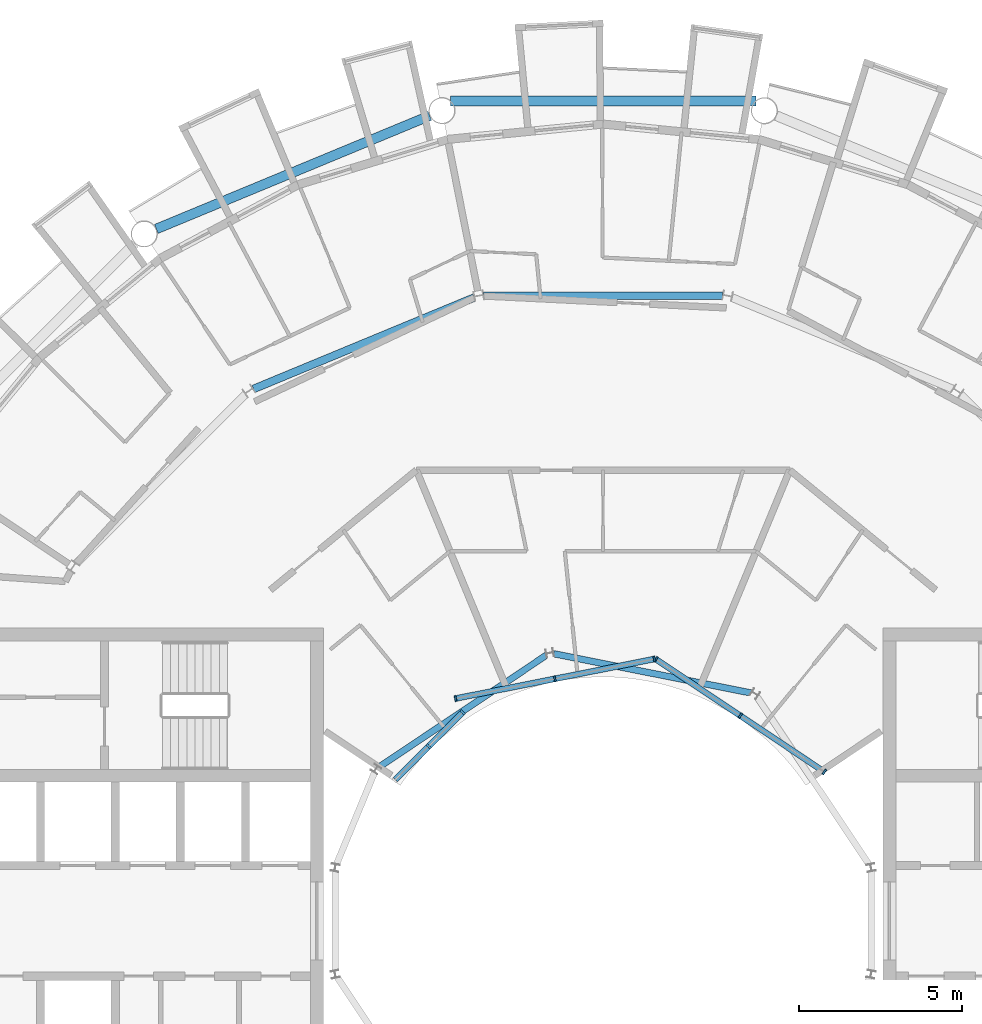
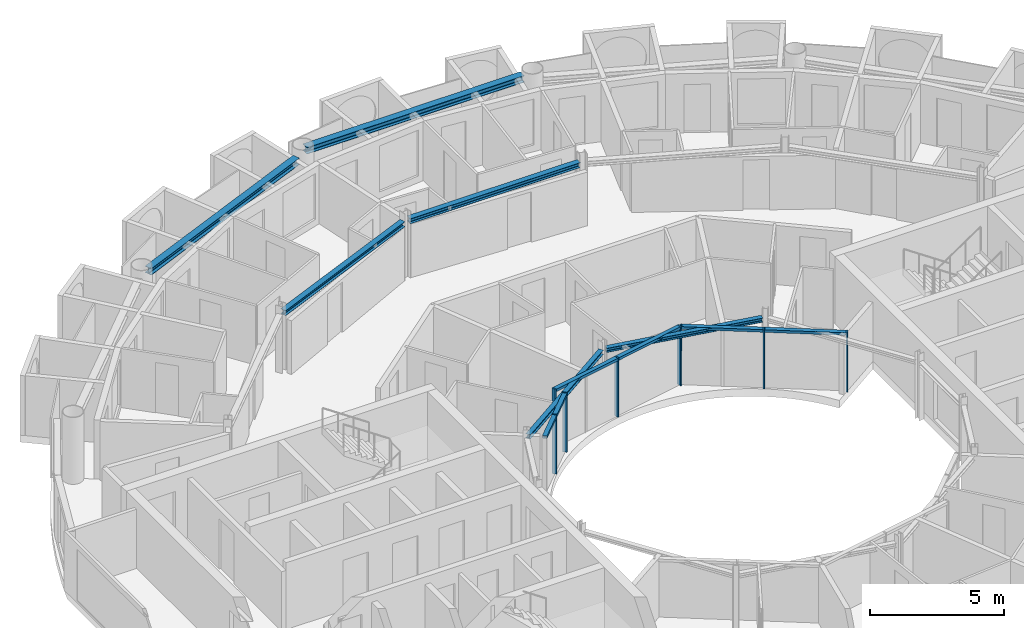
# One storey, part 9 of 27: 14 members, 6 beams, 3 elements without a shape of their own.
"""IFC4 building model written with IfcOpenShell, lengths in metres."""

from ifc_helpers import new_model, si_unit, direction, frame, origin, origin_2d, place, context, subcontext, project, spatial, rectangle, i_section, extrude, material, layer, layer_set, material_profile, profile_set, type_object, element, aggregate, save


model = new_model("IFC4")

# Units and contexts
model_context = context("Model", 3, precision=1e-05, world=origin(), true_north=direction((0.0, 1.0)))
body_context = subcontext(model_context, "Body", "Model", "MODEL_VIEW")
ifc_project = project(units=[si_unit("LENGTHUNIT", "METRE"), si_unit("AREAUNIT", "SQUARE_METRE"), si_unit("VOLUMEUNIT", "CUBIC_METRE"), si_unit("PLANEANGLEUNIT", "RADIAN"), si_unit("MASSUNIT", "GRAM", prefix="KILO")], contexts=[model_context])

# Site, building, storey
site_placement = place(None, origin())
site = spatial("IfcSite", under=ifc_project, at=site_placement, CompositionType="ELEMENT")
building_placement = place(site_placement, origin())
building = spatial("IfcBuilding", under=site, at=building_placement, Name="Maasbend Ring Residences", CompositionType="ELEMENT")
storey_placement = place(building_placement, frame((0.0, 0.0, 240.14990234375)))
storey = spatial("IfcBuildingStorey", under=building, at=storey_placement, Name="L69", CompositionType="ELEMENT", Elevation=240.14990234375)

# Curtain wall, members
ifc_material_1 = material(Name="Aluminium and clear glass", Category="aluminium")
ifc_layer = layer(ifc_material_1, 0.179931640625)
ifc_layer_set = layer_set([ifc_layer], Name="CW-W")
curtain_wall_type = type_object("IfcCurtainWallType", Name="CW-W", PredefinedType="NOTDEFINED", material=ifc_layer_set)
curtain_wall_1_placement = place(storey_placement, origin())
curtain_wall_1 = element("IfcCurtainWall", 1, at=curtain_wall_1_placement, inside=storey, type_object=curtain_wall_type, Name="Well curtain wall N1", PredefinedType="NOTDEFINED")
ifc_material_2 = material(Name="Aluminium 6063-T6", Category="aluminium")
ifc_material_profile_1 = material_profile(ifc_material_2, rectangle(XDim=0.179931640625, YDim=0.06005859375, at=origin_2d()), Name="AL 180x60")
ifc_profile_set_1 = profile_set([ifc_material_profile_1], Name="Aluminium 6063-T6")
member_type_1 = type_object("IfcMemberType", Name="CWM-W", PredefinedType="MULLION", material=ifc_profile_set_1)
member_1_placement = place(storey_placement, frame((6.805908203125, 4.580810546875, 0.0), z_axis=(0.0, 0.0, 1.0), x_axis=(-0.55557023302, -0.831469612303, 0.0)))
member_1 = element("IfcMember", 2, at=member_1_placement, type_object=member_type_1, Name="Mullion well face", PredefinedType="MULLION", context=body_context, shape_type="SweptSolid", body=[
    extrude(rectangle(XDim=0.179931640625, YDim=0.06005859375, at=origin_2d()), origin(), (0.0, 0.0, 1.0), 2.7001953125),
])
member_2_placement = place(storey_placement, frame((4.216796875, 6.310791015625, 0.0), z_axis=(0.0, 0.0, 1.0), x_axis=(-0.55557023302, -0.831469612303, 0.0)))
member_2 = element("IfcMember", 3, at=member_2_placement, type_object=member_type_1, Name="Mullion well face", PredefinedType="MULLION", context=body_context, shape_type="SweptSolid", body=[
    extrude(rectangle(XDim=0.179931640625, YDim=0.06005859375, at=origin_2d()), origin(), (0.0, 0.0, 1.0), 2.7001953125),
])
member_3_placement = place(storey_placement, frame((1.627685546875, 8.040771484375, 0.0), z_axis=(0.0, 0.0, 1.0), x_axis=(-0.55557023302, -0.831469612303, 0.0)))
member_3 = element("IfcMember", 4, at=member_3_placement, type_object=member_type_1, Name="Mullion well face", PredefinedType="MULLION", context=body_context, shape_type="SweptSolid", body=[
    extrude(rectangle(XDim=0.179931640625, YDim=0.06005859375, at=origin_2d()), origin(), (0.0, 0.0, 1.0), 2.7001953125),
])

curtain_wall_2_placement = place(storey_placement, origin())
curtain_wall_2 = element("IfcCurtainWall", 5, at=curtain_wall_2_placement, inside=storey, type_object=curtain_wall_type, Name="Well curtain wall N2", PredefinedType="NOTDEFINED")
member_4_placement = place(storey_placement, frame((1.5732421875, 8.0517578125, 0.0), z_axis=(0.0, 0.0, 1.0), x_axis=(0.195090322016, -0.980785280403, 0.0)))
member_4 = element("IfcMember", 6, at=member_4_placement, type_object=member_type_1, Name="Mullion well face", PredefinedType="MULLION", context=body_context, shape_type="SweptSolid", body=[
    extrude(rectangle(XDim=0.179931640625, YDim=0.06005859375, at=origin_2d()), origin(), (0.0, 0.0, 1.0), 2.7001953125),
])
member_5_placement = place(storey_placement, frame((-1.480712890625, 7.444091796875, 0.0), z_axis=(0.0, 0.0, 1.0), x_axis=(0.195090322016, -0.980785280403, 0.0)))
member_5 = element("IfcMember", 7, at=member_5_placement, type_object=member_type_1, Name="Mullion well face", PredefinedType="MULLION", context=body_context, shape_type="SweptSolid", body=[
    extrude(rectangle(XDim=0.179931640625, YDim=0.06005859375, at=origin_2d()), origin(), (0.0, 0.0, 1.0), 2.7001953125),
])
member_6_placement = place(storey_placement, frame((-4.53466796875, 6.836669921875, 0.0), z_axis=(0.0, 0.0, 1.0), x_axis=(0.195090322016, -0.980785280403, 0.0)))
member_6 = element("IfcMember", 8, at=member_6_placement, type_object=member_type_1, Name="Mullion well face", PredefinedType="MULLION", context=body_context, shape_type="SweptSolid", body=[
    extrude(rectangle(XDim=0.179931640625, YDim=0.06005859375, at=origin_2d()), origin(), (0.0, 0.0, 1.0), 2.7001953125),
])

curtain_wall_3_placement = place(storey_placement, origin())
curtain_wall_3 = element("IfcCurtainWall", 9, at=curtain_wall_3_placement, inside=storey, type_object=curtain_wall_type, Name="Well curtain wall N3", PredefinedType="NOTDEFINED")
member_7_placement = place(storey_placement, frame((-4.320556640625, 6.413330078125, 0.0), z_axis=(0.0, 0.0, 1.0), x_axis=(0.707106781187, -0.707106781187, 0.0)))
member_7 = element("IfcMember", 10, at=member_7_placement, type_object=member_type_1, Name="Mullion well face", PredefinedType="MULLION", context=body_context, shape_type="SweptSolid", body=[
    extrude(rectangle(XDim=0.179931640625, YDim=0.06005859375, at=origin_2d()), origin(), (0.0, 0.0, 1.0), 2.7001953125),
])
member_8_placement = place(storey_placement, frame((-5.366943359375, 5.366943359375, 0.0), z_axis=(0.0, 0.0, 1.0), x_axis=(0.707106781187, -0.707106781187, 0.0)))
member_8 = element("IfcMember", 11, at=member_8_placement, type_object=member_type_1, Name="Mullion well face", PredefinedType="MULLION", context=body_context, shape_type="SweptSolid", body=[
    extrude(rectangle(XDim=0.179931640625, YDim=0.06005859375, at=origin_2d()), origin(), (0.0, 0.0, 1.0), 2.7001953125),
])

# Member
ifc_material_3 = material(Name="Aluminium 6063-T6", Category="aluminium")
ifc_material_profile_2 = material_profile(ifc_material_3, rectangle(XDim=0.179931640625, YDim=0.1201171875, at=origin_2d()), Name="AL 180x120")
ifc_profile_set_2 = profile_set([ifc_material_profile_2], Name="Aluminium 6063-T6")
member_type_2 = type_object("IfcMemberType", Name="CWT-W", PredefinedType="USERDEFINED", material=ifc_profile_set_2)
member_9_placement = place(storey_placement, frame((6.781005859375, 4.59765625, 2.64013671875), z_axis=(-0.831496422459, 0.555530106689, 0.0), x_axis=(-0.555530106689, -0.831496422459, 0.0)))
member_9 = element("IfcMember", 12, at=member_9_placement, type_object=member_type_2, Name="Transom well face", ObjectType="TRANSOM", PredefinedType="USERDEFINED", context=body_context, shape_type="SweptSolid", body=[
    extrude(rectangle(XDim=0.179931640625, YDim=0.1201171875, at=origin_2d()), origin(), (0.0, 0.0, 1.0), 3.053955078125),
])

member_10_placement = place(storey_placement, frame((4.19189453125, 6.32763671875, 2.64013671875), z_axis=(-0.831496422459, 0.555530106689, 0.0), x_axis=(-0.555530106689, -0.831496422459, 0.0)))
member_10 = element("IfcMember", 13, at=member_10_placement, type_object=member_type_2, Name="Transom well face", ObjectType="TRANSOM", PredefinedType="USERDEFINED", context=body_context, shape_type="SweptSolid", body=[
    extrude(rectangle(XDim=0.179931640625, YDim=0.1201171875, at=origin_2d()), origin(), (0.0, 0.0, 1.0), 3.053955078125),
])

aggregate(curtain_wall_1, [member_1, member_2, member_3, member_9, member_10])

member_11_placement = place(storey_placement, frame((1.5439453125, 8.0458984375, 2.64013671875), z_axis=(-0.980776956105, -0.195132166424, 0.0), x_axis=(0.195132166424, -0.980776956105, 0.0)))
member_11 = element("IfcMember", 14, at=member_11_placement, type_object=member_type_2, Name="Transom well face", ObjectType="TRANSOM", PredefinedType="USERDEFINED", context=body_context, shape_type="SweptSolid", body=[
    extrude(rectangle(XDim=0.179931640625, YDim=0.1201171875, at=origin_2d()), origin(), (0.0, 0.0, 1.0), 3.053955078125),
])

member_12_placement = place(storey_placement, frame((-1.51025390625, 7.438232421875, 2.64013671875), z_axis=(-0.980789210404, -0.19507056353, 0.0), x_axis=(0.19507056353, -0.980789210404, 0.0)))
member_12 = element("IfcMember", 15, at=member_12_placement, type_object=member_type_2, Name="Transom well face", ObjectType="TRANSOM", PredefinedType="USERDEFINED", context=body_context, shape_type="SweptSolid", body=[
    extrude(rectangle(XDim=0.179931640625, YDim=0.1201171875, at=origin_2d()), origin(), (0.0, 0.0, 1.0), 3.0537109375),
])

aggregate(curtain_wall_2, [member_4, member_5, member_6, member_11, member_12])

member_13_placement = place(storey_placement, frame((-4.341796875, 6.39208984375, 2.64013671875), z_axis=(-0.707106781187, -0.707106781187, 0.0), x_axis=(0.707106781187, -0.707106781187, 0.0)))
member_13 = element("IfcMember", 16, at=member_13_placement, type_object=member_type_2, Name="Transom well face", ObjectType="TRANSOM", PredefinedType="USERDEFINED", context=body_context, shape_type="SweptSolid", body=[
    extrude(rectangle(XDim=0.179931640625, YDim=0.1201171875, at=origin_2d()), origin(), (0.0, 0.0, 1.0), 1.419677734375),
])

member_14_placement = place(storey_placement, frame((-5.38818359375, 5.345703125, 2.64013671875), z_axis=(-0.707106781187, -0.707106781187, 0.0), x_axis=(0.707106781187, -0.707106781187, 0.0)))
member_14 = element("IfcMember", 17, at=member_14_placement, type_object=member_type_2, Name="Transom well face", ObjectType="TRANSOM", PredefinedType="USERDEFINED", context=body_context, shape_type="SweptSolid", body=[
    extrude(rectangle(XDim=0.179931640625, YDim=0.1201171875, at=origin_2d()), origin(), (0.0, 0.0, 1.0), 1.419677734375),
])

aggregate(curtain_wall_3, [member_7, member_8, member_13, member_14])

# Beams
ifc_material_4 = material(Name="Steel S355J2", Category="steel")
ifc_material_profile_3 = material_profile(ifc_material_4, i_section(OverallWidth=0.239990234375, OverallDepth=0.22998046875, WebThickness=0.007568359375, FlangeThickness=0.011962890625, FilletRadius=0.02099609375, at=origin_2d()), Name="HEA 240")
ifc_profile_set_3 = profile_set([ifc_material_profile_3], Name="Steel S355J2")
beam_type_1 = type_object("IfcBeamType", Name="Corridor ring beam HEA 240", PredefinedType="BEAM", material=ifc_profile_set_3)
beam_1_placement = place(storey_placement, frame((3.6708984375, 19.223388671875, 2.585205078125), z_axis=(-1.0, 0.0, 0.0), x_axis=(0.0, -1.0, 0.0)))
element("IfcBeam", 18, at=beam_1_placement, inside=storey, type_object=beam_type_1, Name="Corridor ring beam", PredefinedType="BEAM", context=body_context, shape_type="SweptSolid", body=[
    extrude(i_section(OverallWidth=0.239990234375, OverallDepth=0.22998046875, WebThickness=0.007568359375, FlangeThickness=0.011962890625, FilletRadius=0.02099609375, at=origin_2d()), origin(), (0.0, 0.0, 1.0), 7.341796875),
])
beam_2_placement = place(storey_placement, frame((-3.965087890625, 19.164794921875, 2.585205078125), z_axis=(-0.923875784142, -0.382692481603, 0.0), x_axis=(0.382692481603, -0.923875784142, 0.0)))
element("IfcBeam", 19, at=beam_2_placement, inside=storey, type_object=beam_type_1, Name="Corridor ring beam", PredefinedType="BEAM", context=body_context, shape_type="SweptSolid", body=[
    extrude(i_section(OverallWidth=0.239990234375, OverallDepth=0.22998046875, WebThickness=0.007568359375, FlangeThickness=0.011962890625, FilletRadius=0.02099609375, at=origin_2d()), origin(), (0.0, 0.0, 1.0), 7.341552734375),
])
ifc_material_5 = material(Name="Steel S355J2", Category="steel")
ifc_material_profile_4 = material_profile(ifc_material_5, i_section(OverallWidth=0.300048828125, OverallDepth=0.300048828125, WebThickness=0.010986328125, FlangeThickness=0.01904296875, FilletRadius=0.027099609375, at=origin_2d()), Name="HEB 300")
ifc_profile_set_4 = profile_set([ifc_material_profile_4], Name="Steel S355J2")
beam_type_2 = type_object("IfcBeamType", Name="Spandrel ring beam HEB 300", PredefinedType="SPANDREL", material=ifc_profile_set_4)
beam_3_placement = place(storey_placement, frame((4.69873046875, 25.2119140625, 2.550048828125), z_axis=(-1.0, 0.0, 0.0), x_axis=(0.0, -1.0, 0.0)))
element("IfcBeam", 20, at=beam_3_placement, inside=storey, type_object=beam_type_2, Name="Spandrel ring beam", PredefinedType="SPANDREL", context=body_context, shape_type="SweptSolid", body=[
    extrude(i_section(OverallWidth=0.300048828125, OverallDepth=0.300048828125, WebThickness=0.010986328125, FlangeThickness=0.01904296875, FilletRadius=0.027099609375, at=origin_2d()), origin(), (0.0, 0.0, 1.0), 9.3974609375),
])
beam_4_placement = place(storey_placement, frame((-5.330810546875, 24.75634765625, 2.550048828125), z_axis=(-0.923880768897, -0.382680447453, 0.0), x_axis=(0.382680447453, -0.923880768897, 0.0)))
element("IfcBeam", 21, at=beam_4_placement, inside=storey, type_object=beam_type_2, Name="Spandrel ring beam", PredefinedType="SPANDREL", context=body_context, shape_type="SweptSolid", body=[
    extrude(i_section(OverallWidth=0.300048828125, OverallDepth=0.300048828125, WebThickness=0.010986328125, FlangeThickness=0.01904296875, FilletRadius=0.027099609375, at=origin_2d()), origin(), (0.0, 0.0, 1.0), 9.097412109375),
])
ifc_material_6 = material(Name="Steel S355J2", Category="steel")
ifc_material_profile_5 = material_profile(ifc_material_6, i_section(OverallWidth=0.199951171875, OverallDepth=0.18994140625, WebThickness=0.006591796875, FlangeThickness=0.010009765625, FilletRadius=0.01806640625, at=origin_2d()), Name="HEA 200")
ifc_profile_set_5 = profile_set([ifc_material_profile_5], Name="Steel S355J2")
beam_type_3 = type_object("IfcBeamType", Name="Well edge beam HEA 200", PredefinedType="BEAM", material=ifc_profile_set_5)
for number, where, z_axis, x_axis, name in (
    (22, (4.544677734375, 7.008544921875, 2.60498046875), (-0.98078072474, 0.195113223486, 0.0), (-0.195113223486, -0.98078072474, 0.0), "Well edge beam"),
    (23, (-1.7421875, 8.16943359375, 2.60498046875), (-0.831484648286, -0.555547729421, 0.0), (0.555547729421, -0.831484648286, 0.0), "Well edge beam"),
):
    element("IfcBeam", number, at=place(storey_placement, frame(where, z_axis=z_axis, x_axis=x_axis)), inside=storey, type_object=beam_type_3, Name=name, PredefinedType="BEAM", context=body_context, shape_type="SweptSolid", body=[
        extrude(i_section(OverallWidth=0.199951171875, OverallDepth=0.18994140625, WebThickness=0.006591796875, FlangeThickness=0.010009765625, FilletRadius=0.01806640625, at=origin_2d()), origin(), (0.0, 0.0, 1.0), 6.18017578125),
    ])

save(model, "model.ifc")
